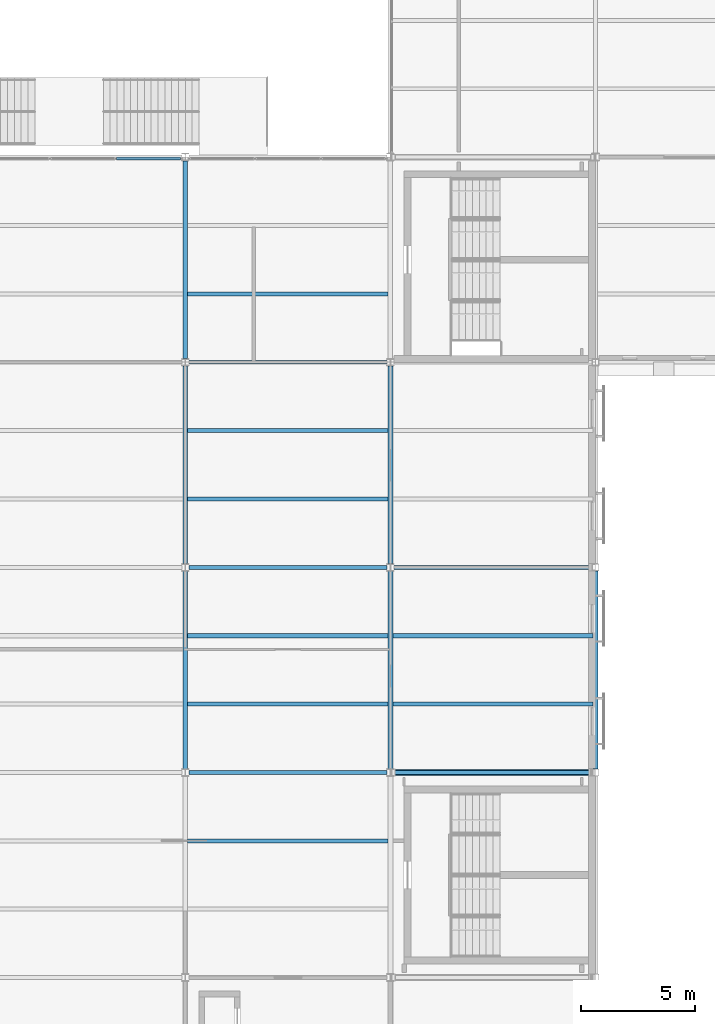
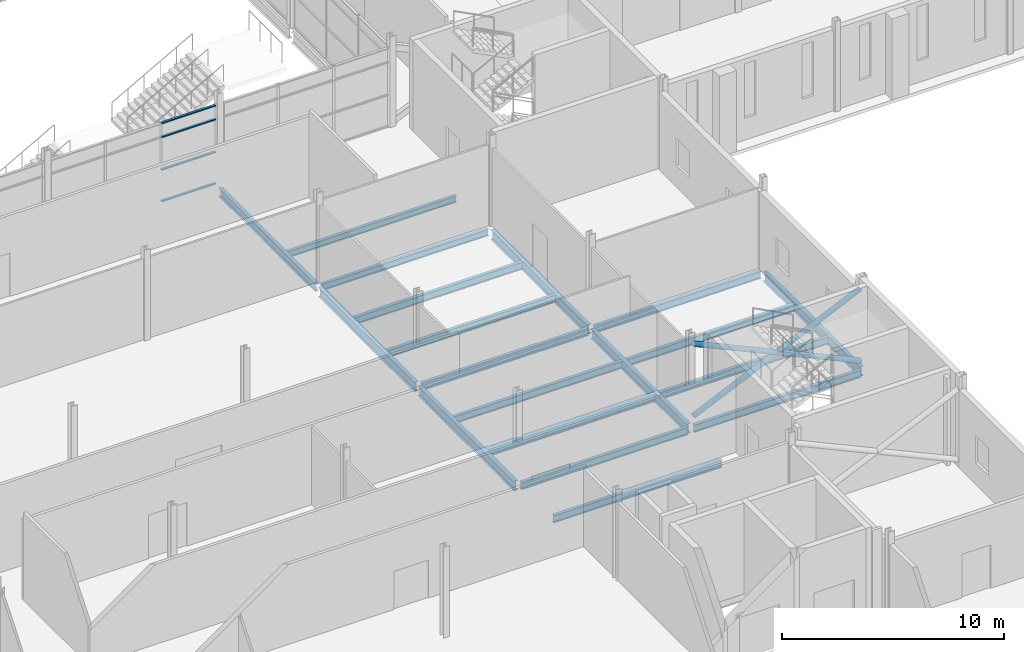
# One storey, part 27 of 112: 19 beams, 6 members, 1 element without a shape of its own.
"""IFC4 building model written with IfcOpenShell, lengths in metres."""

from ifc_helpers import new_model, si_unit, direction, frame, origin, origin_2d, place, context, subcontext, project, spatial, hollow_rectangle, hollow_circle, i_section, extrude, material, layer, layer_set, material_profile, profile_set, type_object, element, aggregate, save


model = new_model("IFC4")

# Units and contexts
model_context = context("Model", 3, precision=1e-05, world=origin(), true_north=direction((0.0, 1.0)))
body_context = subcontext(model_context, "Body", "Model", "MODEL_VIEW")
ifc_project = project(units=[si_unit("LENGTHUNIT", "METRE"), si_unit("AREAUNIT", "SQUARE_METRE"), si_unit("VOLUMEUNIT", "CUBIC_METRE"), si_unit("PLANEANGLEUNIT", "RADIAN"), si_unit("MASSUNIT", "GRAM", prefix="KILO")], contexts=[model_context])

# Site, building, storey
site_placement = place(None, origin())
site = spatial("IfcSite", under=ifc_project, at=site_placement, CompositionType="ELEMENT")
building_placement = place(site_placement, origin())
building = spatial("IfcBuilding", under=site, at=building_placement, Name="Shorebreak Coast Museum", CompositionType="ELEMENT")
storey_placement = place(building_placement, frame((0.0, 0.0, 6.0)))
storey = spatial("IfcBuildingStorey", under=building, at=storey_placement, Name="L01", CompositionType="ELEMENT", Elevation=6.0)

# Beams
ifc_material_1 = material(Name="Steel Grade 300", Category="steel")
ifc_material_profile_1 = material_profile(ifc_material_1, i_section(OverallWidth=0.172119140625, OverallDepth=0.358642578125, WebThickness=0.008056640625, FlangeThickness=0.012939453125, FilletRadius=0.011474609375, at=origin_2d()), Name="360UB56.7")
ifc_profile_set_1 = profile_set([ifc_material_profile_1], Name="Steel Grade 300")
beam_type_1 = type_object("IfcBeamType", Name="Floor girder east-west 360UB56.7", PredefinedType="BEAM", material=ifc_profile_set_1)
beam_1_placement = place(storey_placement, frame((99.154541015625, 54.0, -0.354248046875), z_axis=(1.0, 0.0, 0.0), x_axis=(0.0, 1.0, 0.0)))
element("IfcBeam", 1, at=beam_1_placement, inside=storey, type_object=beam_type_1, Name="Floor girder east-west L01 12G", PredefinedType="BEAM", context=body_context, shape_type="SweptSolid", body=[
    extrude(i_section(OverallWidth=0.172119140625, OverallDepth=0.358642578125, WebThickness=0.008056640625, FlangeThickness=0.012939453125, FilletRadius=0.011474609375, at=origin_2d()), origin(), (0.0, 0.0, 1.0), 8.69091796875),
])
ifc_material_2 = material(Name="Steel Grade 300", Category="steel")
ifc_material_profile_2 = material_profile(ifc_material_2, i_section(OverallWidth=0.177978515625, OverallDepth=0.406494140625, WebThickness=0.0078125, FlangeThickness=0.0126953125, FilletRadius=0.011474609375, at=origin_2d()), Name="410UB59.7")
ifc_profile_set_2 = profile_set([ifc_material_profile_2], Name="Steel Grade 300")
beam_type_2 = type_object("IfcBeamType", Name="Floor girder east-west 410UB59.7", PredefinedType="BEAM", material=ifc_profile_set_2)
beam_2_placement = place(storey_placement, frame((99.154541015625, 36.0, -0.378173828125), z_axis=(1.0, 0.0, 0.0), x_axis=(0.0, 1.0, 0.0)))
element("IfcBeam", 2, at=beam_2_placement, inside=storey, type_object=beam_type_2, Name="Floor girder east-west L01 12E", PredefinedType="BEAM", context=body_context, shape_type="SweptSolid", body=[
    extrude(i_section(OverallWidth=0.177978515625, OverallDepth=0.406494140625, WebThickness=0.0078125, FlangeThickness=0.0126953125, FilletRadius=0.011474609375, at=origin_2d()), origin(), (0.0, 0.0, 1.0), 8.69091796875),
])
beam_3_placement = place(storey_placement, frame((108.154541015625, 36.0, -0.378173828125), z_axis=(1.0, 0.0, 0.0), x_axis=(0.0, 1.0, 0.0)))
element("IfcBeam", 3, at=beam_3_placement, inside=storey, type_object=beam_type_2, Name="Floor girder east-west L01 13E", PredefinedType="BEAM", context=body_context, shape_type="SweptSolid", body=[
    extrude(i_section(OverallWidth=0.177978515625, OverallDepth=0.406494140625, WebThickness=0.0078125, FlangeThickness=0.0126953125, FilletRadius=0.011474609375, at=origin_2d()), origin(), (0.0, 0.0, 1.0), 8.695556640625),
])
beam_4_placement = place(storey_placement, frame((99.154541015625, 45.0, -0.378173828125), z_axis=(1.0, 0.0, 0.0), x_axis=(0.0, 1.0, 0.0)))
element("IfcBeam", 4, at=beam_4_placement, inside=storey, type_object=beam_type_2, Name="Floor girder east-west L01 12F", PredefinedType="BEAM", context=body_context, shape_type="SweptSolid", body=[
    extrude(i_section(OverallWidth=0.177978515625, OverallDepth=0.406494140625, WebThickness=0.0078125, FlangeThickness=0.0126953125, FilletRadius=0.011474609375, at=origin_2d()), origin(), (0.0, 0.0, 1.0), 8.69091796875),
])
beam_5_placement = place(storey_placement, frame((108.154541015625, 45.0, -0.378173828125), z_axis=(1.0, 0.0, 0.0), x_axis=(0.0, 1.0, 0.0)))
element("IfcBeam", 5, at=beam_5_placement, inside=storey, type_object=beam_type_2, Name="Floor girder east-west L01 13F", PredefinedType="BEAM", context=body_context, shape_type="SweptSolid", body=[
    extrude(i_section(OverallWidth=0.177978515625, OverallDepth=0.406494140625, WebThickness=0.0078125, FlangeThickness=0.0126953125, FilletRadius=0.011474609375, at=origin_2d()), origin(), (0.0, 0.0, 1.0), 8.695556640625),
])
ifc_material_3 = material(Name="Steel Grade 300", Category="steel")
ifc_material_profile_3 = material_profile(ifc_material_3, i_section(OverallWidth=0.19091796875, OverallDepth=0.46044921875, WebThickness=0.010009765625, FlangeThickness=0.01611328125, FilletRadius=0.011474609375, at=origin_2d()), Name="460UB82.1")
ifc_profile_set_3 = profile_set([ifc_material_profile_3], Name="Steel Grade 300")
beam_type_3 = type_object("IfcBeamType", Name="Floor girder north-south 460UB82.1", PredefinedType="BEAM", material=ifc_profile_set_3)
beam_6_placement = place(storey_placement, frame((99.0, 54.160400390625, -0.4052734375), z_axis=(0.0, 1.0, 0.0), x_axis=(-1.0, 0.0, 0.0)))
element("IfcBeam", 6, at=beam_6_placement, inside=storey, type_object=beam_type_3, Name="Floor girder north-south L01 12G", PredefinedType="BEAM", context=body_context, shape_type="SweptSolid", body=[
    extrude(i_section(OverallWidth=0.19091796875, OverallDepth=0.46044921875, WebThickness=0.010009765625, FlangeThickness=0.01611328125, FilletRadius=0.011474609375, at=origin_2d()), origin(), (0.0, 0.0, 1.0), 8.676025390625),
])
ifc_material_4 = material(Name="Steel Grade 300", Category="steel")
ifc_material_profile_4 = material_profile(ifc_material_4, i_section(OverallWidth=0.208984375, OverallDepth=0.532958984375, WebThickness=0.01025390625, FlangeThickness=0.015625, FilletRadius=0.013916015625, at=origin_2d()), Name="530UB92.4")
ifc_profile_set_4 = profile_set([ifc_material_profile_4], Name="Steel Grade 300")
beam_type_4 = type_object("IfcBeamType", Name="Floor girder north-south 530UB92.4", PredefinedType="BEAM", material=ifc_profile_set_4)
for number, where, z_axis, x_axis, name in (
    (7, (99.0, 36.160400390625, -0.44140625), (0.0, 1.0, 0.0), (-1.0, 0.0, 0.0), "Floor girder north-south L01 12E"),
    (8, (108.0, 36.160400390625, -0.44140625), (0.0, 1.0, 0.0), (-1.0, 0.0, 0.0), "Floor girder north-south L01 13E"),
):
    element("IfcBeam", number, at=place(storey_placement, frame(where, z_axis=z_axis, x_axis=x_axis)), inside=storey, type_object=beam_type_4, Name=name, PredefinedType="BEAM", context=body_context, shape_type="SweptSolid", body=[
        extrude(i_section(OverallWidth=0.208984375, OverallDepth=0.532958984375, WebThickness=0.01025390625, FlangeThickness=0.015625, FilletRadius=0.013916015625, at=origin_2d()), origin(), (0.0, 0.0, 1.0), 8.67919921875),
    ])
beam_7_placement = place(storey_placement, frame((117.0, 36.14990234375, -0.44140625), z_axis=(0.0, 1.0, 0.0), x_axis=(-1.0, 0.0, 0.0)))
element("IfcBeam", 9, at=beam_7_placement, inside=storey, type_object=beam_type_4, Name="Floor girder north-south L01 14E", PredefinedType="BEAM", context=body_context, shape_type="SweptSolid", body=[
    extrude(i_section(OverallWidth=0.208984375, OverallDepth=0.532958984375, WebThickness=0.01025390625, FlangeThickness=0.015625, FilletRadius=0.013916015625, at=origin_2d()), origin(), (0.0, 0.0, 1.0), 8.7001953125),
])
for number, where, z_axis, x_axis, name in (
    (10, (99.0, 45.160400390625, -0.44140625), (0.0, 1.0, 0.0), (-1.0, 0.0, 0.0), "Floor girder north-south L01 12F"),
    (11, (108.0, 45.160400390625, -0.44140625), (0.0, 1.0, 0.0), (-1.0, 0.0, 0.0), "Floor girder north-south L01 13F"),
):
    element("IfcBeam", number, at=place(storey_placement, frame(where, z_axis=z_axis, x_axis=x_axis)), inside=storey, type_object=beam_type_4, Name=name, PredefinedType="BEAM", context=body_context, shape_type="SweptSolid", body=[
        extrude(i_section(OverallWidth=0.208984375, OverallDepth=0.532958984375, WebThickness=0.01025390625, FlangeThickness=0.015625, FilletRadius=0.013916015625, at=origin_2d()), origin(), (0.0, 0.0, 1.0), 8.67919921875),
    ])
ifc_material_5 = material(Name="Steel Grade 300", Category="steel")
ifc_material_profile_5 = material_profile(ifc_material_5, i_section(OverallWidth=0.1708984375, OverallDepth=0.35205078125, WebThickness=0.0068359375, FlangeThickness=0.009765625, FilletRadius=0.011474609375, at=origin_2d()), Name="360UB44.7")
ifc_profile_set_5 = profile_set([ifc_material_profile_5], Name="Steel Grade 300")
beam_type_5 = type_object("IfcBeamType", Name="Floor joist 360UB44.7", PredefinedType="JOIST", material=ifc_profile_set_5)
beam_8_placement = place(storey_placement, frame((99.095458984375, 57.0, -0.35107421875), z_axis=(1.0, 0.0, 0.0), x_axis=(0.0, 1.0, 0.0)))
element("IfcBeam", 12, at=beam_8_placement, inside=storey, type_object=beam_type_5, Name="Floor joist L01 bay 12G at 3000 mm", PredefinedType="JOIST", context=body_context, shape_type="SweptSolid", body=[
    extrude(i_section(OverallWidth=0.1708984375, OverallDepth=0.35205078125, WebThickness=0.0068359375, FlangeThickness=0.009765625, FilletRadius=0.011474609375, at=origin_2d()), origin(), (0.0, 0.0, 1.0), 8.80908203125),
])
ifc_material_6 = material(Name="Steel Grade 300", Category="steel")
ifc_material_profile_6 = material_profile(ifc_material_6, i_section(OverallWidth=0.177978515625, OverallDepth=0.402587890625, WebThickness=0.007568359375, FlangeThickness=0.010986328125, FilletRadius=0.011474609375, at=origin_2d()), Name="410UB53.7")
ifc_profile_set_6 = profile_set([ifc_material_profile_6], Name="Steel Grade 300")
beam_type_6 = type_object("IfcBeamType", Name="Floor joist 410UB53.7", PredefinedType="JOIST", material=ifc_profile_set_6)
for number, where, z_axis, x_axis, name in (
    (13, (99.1044921875, 33.0, -0.376220703125), (1.0, 0.0, 0.0), (0.0, 1.0, 0.0), "Floor joist L01 bay 12D at 6000 mm"),
    (14, (99.1044921875, 39.0, -0.376220703125), (1.0, 0.0, 0.0), (0.0, 1.0, 0.0), "Floor joist L01 bay 12E at 3000 mm"),
    (15, (99.1044921875, 42.0, -0.376220703125), (1.0, 0.0, 0.0), (0.0, 1.0, 0.0), "Floor joist L01 bay 12E at 6000 mm"),
    (16, (108.1044921875, 39.0, -0.376220703125), (1.0, 0.0, 0.0), (0.0, 1.0, 0.0), "Floor joist L01 bay 13E at 3000 mm"),
    (17, (108.1044921875, 42.0, -0.376220703125), (1.0, 0.0, 0.0), (0.0, 1.0, 0.0), "Floor joist L01 bay 13E at 6000 mm"),
    (18, (99.1044921875, 48.0, -0.376220703125), (1.0, 0.0, 0.0), (0.0, 1.0, 0.0), "Floor joist L01 bay 12F at 3000 mm"),
    (19, (99.1044921875, 51.0, -0.376220703125), (1.0, 0.0, 0.0), (0.0, 1.0, 0.0), "Floor joist L01 bay 12F at 6000 mm"),
):
    element("IfcBeam", number, at=place(storey_placement, frame(where, z_axis=z_axis, x_axis=x_axis)), inside=storey, type_object=beam_type_6, Name=name, PredefinedType="JOIST", context=body_context, shape_type="SweptSolid", body=[
        extrude(i_section(OverallWidth=0.177978515625, OverallDepth=0.402587890625, WebThickness=0.007568359375, FlangeThickness=0.010986328125, FilletRadius=0.011474609375, at=origin_2d()), origin(), (0.0, 0.0, 1.0), 8.791015625),
    ])

# Curtain wall, members
ifc_material_7 = material(Name="Aluminium", Category="aluminium")
ifc_layer = layer(ifc_material_7, 0.1201171875)
ifc_layer_set = layer_set([ifc_layer], Name="Aluminium")
curtain_wall_type = type_object("IfcCurtainWallType", Name="Atrium fire screen", PredefinedType="NOTDEFINED", material=ifc_layer_set)
curtain_wall_placement = place(storey_placement, origin())
curtain_wall = element("IfcCurtainWall", 20, at=curtain_wall_placement, inside=storey, type_object=curtain_wall_type, Name="Atrium screen L01 S 5", PredefinedType="NOTDEFINED")
ifc_material_8 = material(Name="Aluminium", Category="aluminium")
ifc_material_profile_7 = material_profile(ifc_material_8, hollow_rectangle(XDim=0.1201171875, YDim=0.06005859375, WallThickness=0.00341796875, at=origin_2d()), Name="AL 60x120 RHS")
ifc_profile_set_7 = profile_set([ifc_material_profile_7], Name="Aluminium")
member_type_1 = type_object("IfcMemberType", Name="Screen transom 120 x 50", PredefinedType="USERDEFINED", material=ifc_profile_set_7)
member_1_placement = place(storey_placement, frame((95.97314453125, 62.93994140625, 0.06005859375), z_axis=(1.0, 0.0, 0.0), x_axis=(0.0, 1.0, 0.0)))
member_1 = element("IfcMember", 21, at=member_1_placement, type_object=member_type_1, Name="CW6 transom 3.1", ObjectType="TRANSOM", PredefinedType="USERDEFINED", context=body_context, shape_type="SweptSolid", body=[
    extrude(hollow_rectangle(XDim=0.1201171875, YDim=0.06005859375, WallThickness=0.00341796875, at=origin_2d()), origin(), (0.0, 0.0, 1.0), 2.8212890625),
])
member_2_placement = place(storey_placement, frame((95.97314453125, 62.93994140625, 1.800048828125), z_axis=(1.0, 0.0, 0.0), x_axis=(0.0, 1.0, 0.0)))
member_2 = element("IfcMember", 22, at=member_2_placement, type_object=member_type_1, Name="CW6 transom 3.2", ObjectType="TRANSOM", PredefinedType="USERDEFINED", context=body_context, shape_type="SweptSolid", body=[
    extrude(hollow_rectangle(XDim=0.1201171875, YDim=0.06005859375, WallThickness=0.00341796875, at=origin_2d()), origin(), (0.0, 0.0, 1.0), 2.8212890625),
])
member_3_placement = place(storey_placement, frame((95.97314453125, 62.93994140625, 3.60009765625), z_axis=(1.0, 0.0, 0.0), x_axis=(0.0, 1.0, 0.0)))
member_3 = element("IfcMember", 23, at=member_3_placement, type_object=member_type_1, Name="CW6 transom 3.3", ObjectType="TRANSOM", PredefinedType="USERDEFINED", context=body_context, shape_type="SweptSolid", body=[
    extrude(hollow_rectangle(XDim=0.1201171875, YDim=0.06005859375, WallThickness=0.00341796875, at=origin_2d()), origin(), (0.0, 0.0, 1.0), 2.8212890625),
])
member_4_placement = place(storey_placement, frame((95.97314453125, 62.93994140625, 4.3623046875), z_axis=(1.0, 0.0, 0.0), x_axis=(0.0, 1.0, 0.0)))
member_4 = element("IfcMember", 24, at=member_4_placement, type_object=member_type_1, Name="CW6 transom 3.4", ObjectType="TRANSOM", PredefinedType="USERDEFINED", context=body_context, shape_type="SweptSolid", body=[
    extrude(hollow_rectangle(XDim=0.1201171875, YDim=0.06005859375, WallThickness=0.00341796875, at=origin_2d()), origin(), (0.0, 0.0, 1.0), 2.8212890625),
])
aggregate(curtain_wall, [member_1, member_2, member_3, member_4])

# Members
ifc_material_9 = material(Name="Steel Grade C350L0", Category="steel")
ifc_material_profile_8 = material_profile(ifc_material_9, hollow_circle(Radius=0.136474609375, WallThickness=0.00927734375, at=origin_2d()), Name="273.1x9.3 CHS")
ifc_profile_set_8 = profile_set([ifc_material_profile_8], Name="Steel Grade C350L0")
member_type_2 = type_object("IfcMemberType", Name="X-brace 273.1x9.3 CHS", PredefinedType="BRACE", material=ifc_profile_set_8)
for number, where, z_axis, x_axis, name in (
    (25, (108.154541015625, 36.0, 0.300048828125), (0.909484682467, 0.0, 0.415737431991), (0.0, 1.0, 0.0), "X-brace bay 18 L01 diagonal 1"),
    (26, (116.85009765625, 36.0, 0.300048828125), (-0.909484682467, 0.0, 0.415737431991), (0.0, -1.0, 0.0), "X-brace bay 18 L01 diagonal 2"),
):
    element("IfcMember", number, at=place(storey_placement, frame(where, z_axis=z_axis, x_axis=x_axis)), inside=storey, type_object=member_type_2, Name=name, PredefinedType="BRACE", context=body_context, shape_type="SweptSolid", body=[
        extrude(hollow_circle(Radius=0.136474609375, WallThickness=0.00927734375, at=origin_2d()), origin(), (0.0, 0.0, 1.0), 9.56103515625),
    ])

save(model, "model.ifc")
